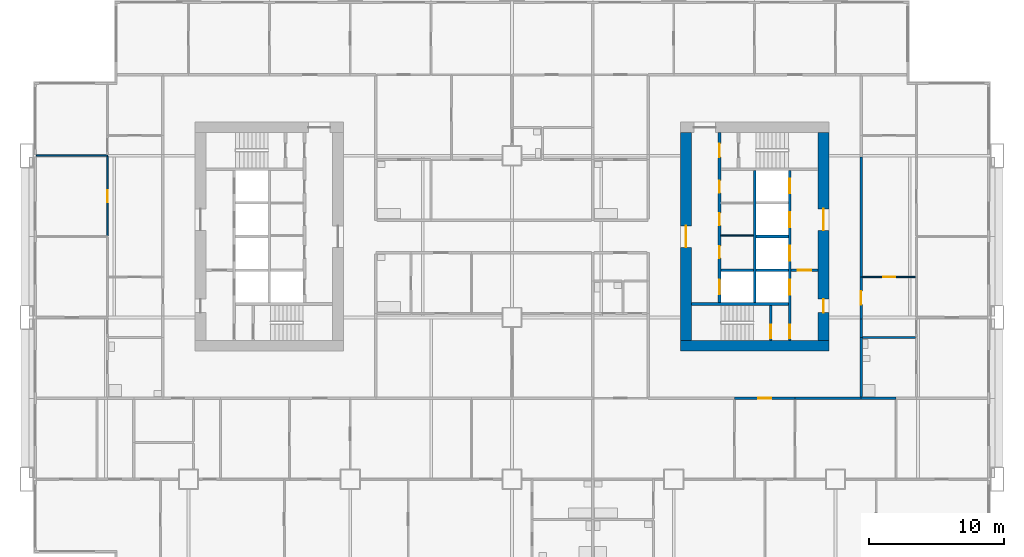
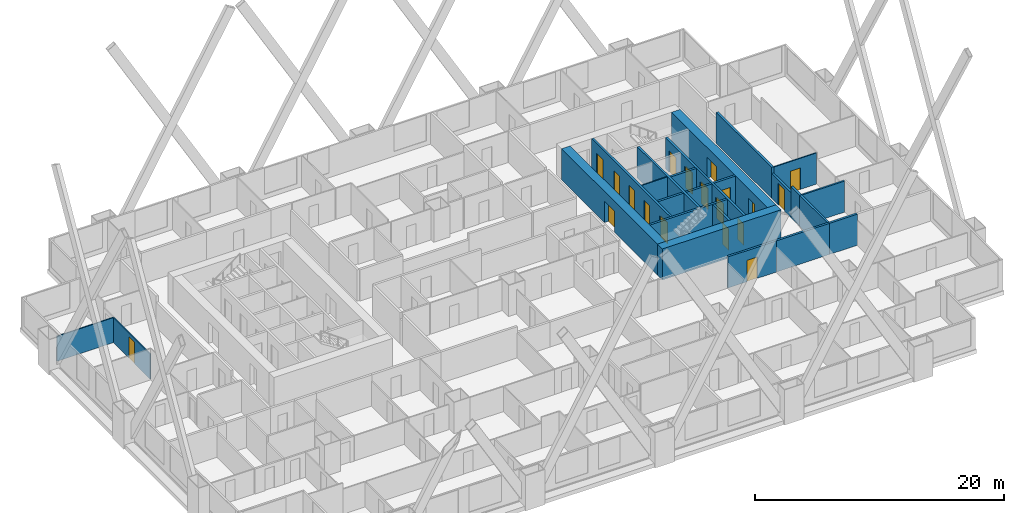
# One storey, part 7 of 13: 24 walls, 19 doors, 19 openings.
"""IFC4 building model written with IfcOpenShell, lengths in metres."""

from ifc_helpers import new_model, si_unit, direction, frame, frame_2d, origin, place, context, subcontext, project, spatial, rectangle, extrude, material, layer, layer_set, type_object, element, fill, save


model = new_model("IFC4")

# Units and contexts
model_context = context("Model", 3, precision=1e-05, world=origin(), true_north=direction((0.0, 1.0)))
body_context = subcontext(model_context, "Body", "Model", "MODEL_VIEW")
ifc_project = project(units=[si_unit("LENGTHUNIT", "METRE"), si_unit("AREAUNIT", "SQUARE_METRE"), si_unit("VOLUMEUNIT", "CUBIC_METRE"), si_unit("PLANEANGLEUNIT", "RADIAN"), si_unit("MASSUNIT", "GRAM", prefix="KILO")], contexts=[model_context])

# Site, building, storey
site_placement = place(None, origin())
site = spatial("IfcSite", under=ifc_project, at=site_placement, CompositionType="ELEMENT")
building_placement = place(site_placement, origin())
building = spatial("IfcBuilding", under=site, at=building_placement, Name="Kitamizu Gate Tower and Museum", CompositionType="ELEMENT")
storey_placement = place(building_placement, frame((0.0, 0.0, 50.699951171875)))
storey = spatial("IfcBuildingStorey", under=building, at=storey_placement, Name="L11", CompositionType="ELEMENT", Elevation=50.699951171875)

# Wall
ifc_material_1 = material(Name="Concrete Fc60", Category="concrete")
ifc_layer_1 = layer(ifc_material_1, 0.800048828125)
ifc_layer_set_1 = layer_set([ifc_layer_1], Name="Concrete Fc60")
wall_type_1 = type_object("IfcWallType", Name="Core wall 800", PredefinedType="SHEAR", material=ifc_layer_set_1)
wall_1_placement = place(storey_placement, frame((59.5, 21.89990234375, 0.0), z_axis=(0.0, 0.0, 1.0), x_axis=(-1.0, 0.0, 0.0)))
element("IfcWall", 1, at=wall_1_placement, inside=storey, type_object=wall_type_1, Name="Core wall ES", PredefinedType="SHEAR", context=body_context, shape_type="SweptSolid", body=[
    extrude(rectangle(XDim=11.0, YDim=0.800048828125, at=frame_2d((5.5, 0.0))), origin(), (0.0, 0.0, 1.0), 3.050048828125),
])

# Wall, openings, doors
wall_2_placement = place(storey_placement, frame((59.10009765625, 22.300048828125, 0.0), z_axis=(0.0, 0.0, 1.0), x_axis=(0.0, 1.0, 0.0)))
wall_2 = element("IfcWall", 2, at=wall_2_placement, inside=storey, type_object=wall_type_1, Name="Core wall EOUT", PredefinedType="SHEAR", context=body_context, shape_type="SweptSolid", body=[
    extrude(rectangle(XDim=15.39990234375, YDim=0.800048828125, at=frame_2d((7.699951171875, 0.0))), origin(), (0.0, 0.0, 1.0), 3.050048828125),
])
opening_1_placement = place(wall_2_placement, frame((8.14990234375, 0.0, 0.0)))
opening_1 = element("IfcOpeningElement", 3, at=opening_1_placement, cuts=wall_2, Name="Opening L11-093", PredefinedType="OPENING", context=body_context, shape_type="SweptSolid", body=[
    extrude(rectangle(XDim=1.60009765625, YDim=2.10009765625, at=frame_2d((0.800048828125, 1.050048828125))), frame((0.0, 0.41015625, 0.0), z_axis=(0.0, -1.0, 0.0), x_axis=(1.0, 0.0, 0.0)), (0.0, 0.0, 1.0), 0.820068359375),
])
opening_2_placement = place(wall_2_placement, frame((2.050048828125, 0.0, 0.0)))
opening_2 = element("IfcOpeningElement", 4, at=opening_2_placement, cuts=wall_2, Name="Opening L11-094", PredefinedType="OPENING", context=body_context, shape_type="SweptSolid", body=[
    extrude(rectangle(XDim=1.0, YDim=2.10009765625, at=frame_2d((0.5, 1.050048828125))), frame((0.0, 0.41015625, 0.0), z_axis=(0.0, -1.0, 0.0), x_axis=(1.0, 0.0, 0.0)), (0.0, 0.0, 1.0), 0.820068359375),
])
ifc_material_2 = material(Name="Timber door set", Category="wood")
door_type_1 = type_object("IfcDoorType", Name="Entrance door 1600", OperationType="DOUBLE_DOOR_SINGLE_SWING", PredefinedType="DOOR", material=ifc_material_2)
door_1_placement = place(opening_1_placement, origin())
door_1 = element("IfcDoor", 5, at=door_1_placement, inside=storey, type_object=door_type_1, Name="Lobby door L11-093", OperationType="DOUBLE_DOOR_SINGLE_SWING", OverallHeight=2.10009765625, OverallWidth=1.60009765625, PredefinedType="DOOR", context=body_context, shape_type="SweptSolid", body=[
    extrude(rectangle(XDim=1.60009765625, YDim=2.10009765625, at=frame_2d((0.800048828125, 1.050048828125))), frame((0.0, 0.02490234375, 0.0), z_axis=(0.0, -1.0, 0.0), x_axis=(1.0, 0.0, 0.0)), (0.0, 0.0, 1.0), 0.050048828125),
])
fill(opening_1, door_1)
ifc_material_3 = material(Name="Hollow metal door set")
door_type_2 = type_object("IfcDoorType", Name="Fire door 1000", OperationType="NOTDEFINED", PredefinedType="DOOR", material=ifc_material_3)
door_2_placement = place(opening_2_placement, origin())
door_2 = element("IfcDoor", 6, at=door_2_placement, inside=storey, type_object=door_type_2, Name="Fire-fighting lobby door L11-094", OperationType="SINGLE_SWING_RIGHT", OverallHeight=2.10009765625, OverallWidth=1.0, PredefinedType="DOOR", context=body_context, shape_type="SweptSolid", body=[
    extrude(rectangle(XDim=1.0, YDim=2.10009765625, at=frame_2d((0.5, 1.050048828125))), frame((0.0, 0.02490234375, 0.0), z_axis=(0.0, -1.0, 0.0), x_axis=(1.0, 0.0, 0.0)), (0.0, 0.0, 1.0), 0.050048828125),
])
fill(opening_2, door_2)

# Wall, opening, door
wall_3_placement = place(storey_placement, frame((48.89990234375, 22.300048828125, 0.0), z_axis=(0.0, 0.0, 1.0), x_axis=(0.0, 1.0, 0.0)))
wall_3 = element("IfcWall", 7, at=wall_3_placement, inside=storey, type_object=wall_type_1, Name="Core wall EARC", PredefinedType="SHEAR", context=body_context, shape_type="SweptSolid", body=[
    extrude(rectangle(XDim=15.39990234375, YDim=0.800048828125, at=frame_2d((7.699951171875, 0.0))), origin(), (0.0, 0.0, 1.0), 3.050048828125),
])
opening_3_placement = place(wall_3_placement, frame((6.89990234375, 0.0, 0.0)))
opening_3 = element("IfcOpeningElement", 8, at=opening_3_placement, cuts=wall_3, Name="Opening L11-096", PredefinedType="OPENING", context=body_context, shape_type="SweptSolid", body=[
    extrude(rectangle(XDim=1.60009765625, YDim=2.10009765625, at=frame_2d((0.800048828125, 1.050048828125))), frame((0.0, 0.41015625, 0.0), z_axis=(0.0, -1.0, 0.0), x_axis=(1.0, 0.0, 0.0)), (0.0, 0.0, 1.0), 0.820068359375),
])
door_3_placement = place(opening_3_placement, origin())
door_3 = element("IfcDoor", 9, at=door_3_placement, inside=storey, type_object=door_type_1, Name="Lobby door L11-096", OperationType="DOUBLE_DOOR_SINGLE_SWING", OverallHeight=2.10009765625, OverallWidth=1.60009765625, PredefinedType="DOOR", context=body_context, shape_type="SweptSolid", body=[
    extrude(rectangle(XDim=1.60009765625, YDim=2.10009765625, at=frame_2d((0.800048828125, 1.050048828125))), frame((0.0, 0.02490234375, 0.0), z_axis=(0.0, -1.0, 0.0), x_axis=(1.0, 0.0, 0.0)), (0.0, 0.0, 1.0), 0.050048828125),
])
fill(opening_3, door_3)

# Walls
ifc_material_4 = material(Name="Gypsum board on galvanised stud")
ifc_layer_2 = layer(ifc_material_4, 0.10009765625)
ifc_layer_set_2 = layer_set([ifc_layer_2], Name="Gypsum board on galvanised stud")
wall_type_2 = type_object("IfcWallType", Name="Partition 100", PredefinedType="PARTITIONING", material=ifc_layer_set_2)
wall_4_placement = place(storey_placement, frame((53.89990234375, 30.08203125, 0.0), z_axis=(0.0, 0.0, 1.0), x_axis=(-1.0, 0.0, 0.0)))
element("IfcWall", 10, at=wall_4_placement, inside=storey, type_object=wall_type_2, Name="Partition EPF1", PredefinedType="PARTITIONING", context=body_context, shape_type="SweptSolid", body=[
    extrude(rectangle(XDim=2.39990234375, YDim=0.10009765625, at=frame_2d((1.199951171875, 0.0))), origin(), (0.0, 0.0, 1.0), 3.050048828125),
])
ifc_material_5 = material(Name="Gypsum board on galvanised stud")
ifc_layer_3 = layer(ifc_material_5, 0.10009765625)
ifc_layer_set_3 = layer_set([ifc_layer_3], Name="Gypsum board on galvanised stud")
wall_type_3 = type_object("IfcWallType", Name="Partition 100 NOT RATED", PredefinedType="PARTITIONING", material=ifc_layer_set_3)
wall_5_placement = place(storey_placement, frame((6.0, 36.0, 0.0), z_axis=(0.0, 0.0, 1.0), x_axis=(-1.0, 0.0, 0.0)))
element("IfcWall", 11, at=wall_5_placement, inside=storey, type_object=wall_type_3, Name="Partition L11-162", PredefinedType="PARTITIONING", context=body_context, shape_type="SweptSolid", body=[
    extrude(rectangle(XDim=5.280029296875, YDim=0.10009765625, at=frame_2d((2.64013671875, 0.0))), origin(), (0.0, 0.0, 1.0), 2.449951171875),
])

# Wall, opening, door
wall_6_placement = place(storey_placement, frame((6.0, 30.050048828125, 0.0), z_axis=(0.0, 0.0, 1.0), x_axis=(0.0, 1.0, 0.0)))
wall_6 = element("IfcWall", 12, at=wall_6_placement, inside=storey, type_object=wall_type_3, Name="Partition L11-163", PredefinedType="PARTITIONING", context=body_context, shape_type="SweptSolid", body=[
    extrude(rectangle(XDim=5.89990234375, YDim=0.10009765625, at=frame_2d((2.949951171875, 0.0))), origin(), (0.0, 0.0, 1.0), 2.449951171875),
])
opening_4_placement = place(wall_6_placement, frame((2.5, 0.0, 0.0)))
opening_4 = element("IfcOpeningElement", 13, at=opening_4_placement, cuts=wall_6, Name="Opening L11-058", PredefinedType="OPENING", context=body_context, shape_type="SweptSolid", body=[
    extrude(rectangle(XDim=0.89990234375, YDim=2.10009765625, at=frame_2d((0.449951171875, 1.050048828125))), frame((0.0, 0.06005859375, 0.0), z_axis=(0.0, -1.0, 0.0), x_axis=(1.0, 0.0, 0.0)), (0.0, 0.0, 1.0), 0.1201171875),
])
ifc_material_6 = material(Name="Timber door set", Category="wood")
door_type_3 = type_object("IfcDoorType", Name="Room door 900", OperationType="NOTDEFINED", PredefinedType="DOOR", material=ifc_material_6)
door_4_placement = place(opening_4_placement, origin())
door_4 = element("IfcDoor", 14, at=door_4_placement, inside=storey, type_object=door_type_3, Name="Door L11-058", OperationType="SINGLE_SWING_LEFT", OverallHeight=2.10009765625, OverallWidth=0.89990234375, PredefinedType="DOOR", context=body_context, shape_type="SweptSolid", body=[
    extrude(rectangle(XDim=0.89990234375, YDim=2.10009765625, at=frame_2d((0.449951171875, 1.050048828125))), frame((0.0, 0.02490234375, 0.0), z_axis=(0.0, -1.0, 0.0), x_axis=(1.0, 0.0, 0.0)), (0.0, 0.0, 1.0), 0.050048828125),
])
fill(opening_4, door_4)

wall_7_placement = place(storey_placement, frame((65.949951171875, 27.0, 0.0), z_axis=(0.0, 0.0, 1.0), x_axis=(-1.0, 0.0, 0.0)))
wall_7 = element("IfcWall", 15, at=wall_7_placement, inside=storey, type_object=wall_type_3, Name="Partition L11-200", PredefinedType="PARTITIONING", context=body_context, shape_type="SweptSolid", body=[
    extrude(rectangle(XDim=3.949951171875, YDim=0.10009765625, at=frame_2d((1.97509765625, 0.0))), origin(), (0.0, 0.0, 1.0), 3.050048828125),
])
opening_5_placement = place(wall_7_placement, frame((1.52490234375, 0.0, 0.0)))
opening_5 = element("IfcOpeningElement", 16, at=opening_5_placement, cuts=wall_7, Name="Opening L11-071", PredefinedType="OPENING", context=body_context, shape_type="SweptSolid", body=[
    extrude(rectangle(XDim=0.89990234375, YDim=2.10009765625, at=frame_2d((0.449951171875, 1.050048828125))), frame((0.0, 0.06005859375, 0.0), z_axis=(0.0, -1.0, 0.0), x_axis=(1.0, 0.0, 0.0)), (0.0, 0.0, 1.0), 0.1201171875),
])
door_5_placement = place(opening_5_placement, origin())
door_5 = element("IfcDoor", 17, at=door_5_placement, inside=storey, type_object=door_type_3, Name="Door L11-071", OperationType="SINGLE_SWING_LEFT", OverallHeight=2.10009765625, OverallWidth=0.89990234375, PredefinedType="DOOR", context=body_context, shape_type="SweptSolid", body=[
    extrude(rectangle(XDim=0.89990234375, YDim=2.10009765625, at=frame_2d((0.449951171875, 1.050048828125))), frame((0.0, 0.02490234375, 0.0), z_axis=(0.0, -1.0, 0.0), x_axis=(1.0, 0.0, 0.0)), (0.0, 0.0, 1.0), 0.050048828125),
])
fill(opening_5, door_5)

# Wall
ifc_material_7 = material(Name="Gypsum board on galvanised stud")
ifc_layer_4 = layer(ifc_material_7, 0.14990234375)
ifc_layer_set_4 = layer_set([ifc_layer_4], Name="Gypsum board on galvanised stud")
wall_type_4 = type_object("IfcWallType", Name="Partition 150", PredefinedType="PARTITIONING", material=ifc_layer_set_4)
wall_8_placement = place(storey_placement, frame((65.925048828125, 22.5, 0.0), z_axis=(0.0, 0.0, 1.0), x_axis=(-1.0, 0.0, 0.0)))
element("IfcWall", 18, at=wall_8_placement, inside=storey, type_object=wall_type_4, Name="Partition L11-198", PredefinedType="PARTITIONING", context=body_context, shape_type="SweptSolid", body=[
    extrude(rectangle(XDim=3.925048828125, YDim=0.14990234375, at=frame_2d((1.96240234375, 0.0))), origin(), (0.0, 0.0, 1.0), 3.050048828125),
])

# Wall, opening, door
ifc_material_8 = material(Name="Gypsum board on galvanised stud")
ifc_layer_5 = layer(ifc_material_8, 0.199951171875)
ifc_layer_set_5 = layer_set([ifc_layer_5], Name="Gypsum board on galvanised stud")
wall_type_5 = type_object("IfcWallType", Name="Partition 200", PredefinedType="PARTITIONING", material=ifc_layer_set_5)
wall_9_placement = place(storey_placement, frame((57.0, 18.0, 0.0), z_axis=(0.0, 0.0, 1.0), x_axis=(-1.0, 0.0, 0.0)))
wall_9 = element("IfcWall", 19, at=wall_9_placement, inside=storey, type_object=wall_type_5, Name="Partition L11-104", PredefinedType="PARTITIONING", context=body_context, shape_type="SweptSolid", body=[
    extrude(rectangle(XDim=4.5, YDim=0.199951171875, at=frame_2d((2.25, 0.0))), origin(), (0.0, 0.0, 1.0), 3.050048828125),
])
opening_6_placement = place(wall_9_placement, frame((1.75, 0.0, 0.0)))
opening_6 = element("IfcOpeningElement", 20, at=opening_6_placement, cuts=wall_9, Name="Opening L11-026", PredefinedType="OPENING", context=body_context, shape_type="SweptSolid", body=[
    extrude(rectangle(XDim=1.0, YDim=2.10009765625, at=frame_2d((0.5, 1.050048828125))), frame((0.0, 0.10986328125, 0.0), z_axis=(0.0, -1.0, 0.0), x_axis=(1.0, 0.0, 0.0)), (0.0, 0.0, 1.0), 0.219970703125),
])
ifc_material_9 = material(Name="Timber door set", Category="wood")
door_type_4 = type_object("IfcDoorType", Name="Flat entrance door 1000", OperationType="NOTDEFINED", PredefinedType="DOOR", material=ifc_material_9)
door_6_placement = place(opening_6_placement, origin())
door_6 = element("IfcDoor", 21, at=door_6_placement, inside=storey, type_object=door_type_4, Name="Flat entrance door L11-026", OperationType="SINGLE_SWING_LEFT", OverallHeight=2.10009765625, OverallWidth=1.0, PredefinedType="DOOR", context=body_context, shape_type="SweptSolid", body=[
    extrude(rectangle(XDim=1.0, YDim=2.10009765625, at=frame_2d((0.5, 1.050048828125))), frame((0.0, 0.02490234375, 0.0), z_axis=(0.0, -1.0, 0.0), x_axis=(1.0, 0.0, 0.0)), (0.0, 0.0, 1.0), 0.050048828125),
])
fill(opening_6, door_6)

# Walls
wall_10_placement = place(storey_placement, frame((64.5, 18.0, 0.0), z_axis=(0.0, 0.0, 1.0), x_axis=(-1.0, 0.0, 0.0)))
element("IfcWall", 22, at=wall_10_placement, inside=storey, type_object=wall_type_5, Name="Partition L11-106", PredefinedType="PARTITIONING", context=body_context, shape_type="SweptSolid", body=[
    extrude(rectangle(XDim=2.60009765625, YDim=0.199951171875, at=frame_2d((1.300048828125, 0.0))), origin(), (0.0, 0.0, 1.0), 3.050048828125),
])
wall_11_placement = place(storey_placement, frame((61.89990234375, 18.0, 0.0), z_axis=(0.0, 0.0, 1.0), x_axis=(-1.0, 0.0, 0.0)))
element("IfcWall", 23, at=wall_11_placement, inside=storey, type_object=wall_type_5, Name="Partition L11-107", PredefinedType="PARTITIONING", context=body_context, shape_type="SweptSolid", body=[
    extrude(rectangle(XDim=4.89990234375, YDim=0.199951171875, at=frame_2d((2.449951171875, 0.0))), origin(), (0.0, 0.0, 1.0), 3.050048828125),
])
wall_12_placement = place(storey_placement, frame((61.89990234375, 22.5, 0.0), z_axis=(0.0, 0.0, 1.0), x_axis=(0.0, -1.0, 0.0)))
element("IfcWall", 24, at=wall_12_placement, inside=storey, type_object=wall_type_5, Name="Partition L11-199", PredefinedType="PARTITIONING", context=body_context, shape_type="SweptSolid", body=[
    extrude(rectangle(XDim=4.39990234375, YDim=0.199951171875, at=frame_2d((2.199951171875, 0.0))), origin(), (0.0, 0.0, 1.0), 3.050048828125),
])

# Wall, opening, door
wall_13_placement = place(storey_placement, frame((61.89990234375, 27.0, 0.0), z_axis=(0.0, 0.0, 1.0), x_axis=(0.0, -1.0, 0.0)))
wall_13 = element("IfcWall", 25, at=wall_13_placement, inside=storey, type_object=wall_type_5, Name="Partition L11-201", PredefinedType="PARTITIONING", context=body_context, shape_type="SweptSolid", body=[
    extrude(rectangle(XDim=3.10009765625, YDim=0.199951171875, at=frame_2d((1.550048828125, 0.0))), origin(), (0.0, 0.0, 1.0), 2.449951171875),
])
opening_7_placement = place(wall_13_placement, frame((1.050048828125, 0.0, 0.0)))
opening_7 = element("IfcOpeningElement", 26, at=opening_7_placement, cuts=wall_13, Name="Opening L11-069", PredefinedType="OPENING", context=body_context, shape_type="SweptSolid", body=[
    extrude(rectangle(XDim=1.0, YDim=2.10009765625, at=frame_2d((0.5, 1.050048828125))), frame((0.0, 0.10986328125, 0.0), z_axis=(0.0, -1.0, 0.0), x_axis=(1.0, 0.0, 0.0)), (0.0, 0.0, 1.0), 0.219970703125),
])
door_7_placement = place(opening_7_placement, origin())
door_7 = element("IfcDoor", 27, at=door_7_placement, inside=storey, type_object=door_type_4, Name="Flat entrance door L11-069", OperationType="SINGLE_SWING_RIGHT", OverallHeight=2.10009765625, OverallWidth=1.0, PredefinedType="DOOR", context=body_context, shape_type="SweptSolid", body=[
    extrude(rectangle(XDim=1.0, YDim=2.10009765625, at=frame_2d((0.5, 1.050048828125))), frame((0.0, 0.02490234375, 0.0), z_axis=(0.0, -1.0, 0.0), x_axis=(1.0, 0.0, 0.0)), (0.0, 0.0, 1.0), 0.050048828125),
])
fill(opening_7, door_7)

# Walls
wall_14_placement = place(storey_placement, frame((61.89990234375, 23.89990234375, 0.0), z_axis=(0.0, 0.0, 1.0), x_axis=(0.0, -1.0, 0.0)))
element("IfcWall", 28, at=wall_14_placement, inside=storey, type_object=wall_type_5, Name="Partition L11-202", PredefinedType="PARTITIONING", context=body_context, shape_type="SweptSolid", body=[
    extrude(rectangle(XDim=1.39990234375, YDim=0.199951171875, at=frame_2d((0.699951171875, 0.0))), origin(), (0.0, 0.0, 1.0), 3.050048828125),
])
wall_15_placement = place(storey_placement, frame((61.89990234375, 35.89990234375, 0.0), z_axis=(0.0, 0.0, 1.0), x_axis=(0.0, -1.0, 0.0)))
element("IfcWall", 29, at=wall_15_placement, inside=storey, type_object=wall_type_5, Name="Partition L11-205", PredefinedType="PARTITIONING", context=body_context, shape_type="SweptSolid", body=[
    extrude(rectangle(XDim=8.89990234375, YDim=0.199951171875, at=frame_2d((4.449951171875, 0.0))), origin(), (0.0, 0.0, 1.0), 3.050048828125),
])

# Wall, openings, doors
ifc_material_10 = material(Name="Concrete Fc42", Category="concrete")
ifc_layer_6 = layer(ifc_material_10, 0.199951171875)
ifc_layer_set_6 = layer_set([ifc_layer_6], Name="Concrete Fc42")
wall_type_6 = type_object("IfcWallType", Name="Shaft wall 200", PredefinedType="SOLIDWALL", material=ifc_layer_set_6)
wall_16_placement = place(storey_placement, frame((56.60009765625, 22.300048828125, 0.0), z_axis=(0.0, 0.0, 1.0), x_axis=(0.0, 1.0, 0.0)))
wall_16 = element("IfcWall", 30, at=wall_16_placement, inside=storey, type_object=wall_type_6, Name="Shaft wall EWEST", PredefinedType="SOLIDWALL", context=body_context, shape_type="SweptSolid", body=[
    extrude(rectangle(XDim=12.599853515625, YDim=0.199951171875, at=frame_2d((6.2998046875, 0.0))), origin(), (0.0, 0.0, 1.0), 3.050048828125),
])
opening_8_placement = place(wall_16_placement, frame((3.39990234375, 0.0, 0.0)))
opening_8 = element("IfcOpeningElement", 31, at=opening_8_placement, cuts=wall_16, Name="Opening LD", PredefinedType="OPENING", context=body_context, shape_type="SweptSolid", body=[
    extrude(rectangle(XDim=1.10009765625, YDim=2.10009765625, at=frame_2d((0.550048828125, 1.050048828125))), frame((0.0, 0.10986328125, 0.0), z_axis=(0.0, -1.0, 0.0), x_axis=(1.0, 0.0, 0.0)), (0.0, 0.0, 1.0), 0.219970703125),
])
opening_9_placement = place(wall_16_placement, frame((5.89990234375, 0.0, 0.0)))
opening_9 = element("IfcOpeningElement", 32, at=opening_9_placement, cuts=wall_16, Name="Opening LD", PredefinedType="OPENING", context=body_context, shape_type="SweptSolid", body=[
    extrude(rectangle(XDim=1.10009765625, YDim=2.10009765625, at=frame_2d((0.550048828125, 1.050048828125))), frame((0.0, 0.10986328125, 0.0), z_axis=(0.0, -1.0, 0.0), x_axis=(1.0, 0.0, 0.0)), (0.0, 0.0, 1.0), 0.219970703125),
])
opening_10_placement = place(wall_16_placement, frame((8.39990234375, 0.0, 0.0)))
opening_10 = element("IfcOpeningElement", 33, at=opening_10_placement, cuts=wall_16, Name="Opening LD", PredefinedType="OPENING", context=body_context, shape_type="SweptSolid", body=[
    extrude(rectangle(XDim=1.10009765625, YDim=2.10009765625, at=frame_2d((0.550048828125, 1.050048828125))), frame((0.0, 0.10986328125, 0.0), z_axis=(0.0, -1.0, 0.0), x_axis=(1.0, 0.0, 0.0)), (0.0, 0.0, 1.0), 0.219970703125),
])
opening_11_placement = place(wall_16_placement, frame((10.89990234375, 0.0, 0.0)))
opening_11 = element("IfcOpeningElement", 34, at=opening_11_placement, cuts=wall_16, Name="Opening LD", PredefinedType="OPENING", context=body_context, shape_type="SweptSolid", body=[
    extrude(rectangle(XDim=1.10009765625, YDim=2.10009765625, at=frame_2d((0.550048828125, 1.050048828125))), frame((0.0, 0.10986328125, 0.0), z_axis=(0.0, -1.0, 0.0), x_axis=(1.0, 0.0, 0.0)), (0.0, 0.0, 1.0), 0.219970703125),
])
opening_12_placement = place(wall_16_placement, frame((0.14990234375, 0.0, 0.0)))
opening_12 = element("IfcOpeningElement", 35, at=opening_12_placement, cuts=wall_16, Name="Opening L11-089", PredefinedType="OPENING", context=body_context, shape_type="SweptSolid", body=[
    extrude(rectangle(XDim=1.0, YDim=2.10009765625, at=frame_2d((0.5, 1.050048828125))), frame((0.0, 0.10986328125, 0.0), z_axis=(0.0, -1.0, 0.0), x_axis=(1.0, 0.0, 0.0)), (0.0, 0.0, 1.0), 0.219970703125),
])
door_8_placement = place(opening_12_placement, origin())
door_8 = element("IfcDoor", 36, at=door_8_placement, inside=storey, type_object=door_type_2, Name="Stair lobby door L11-089", OperationType="SINGLE_SWING_RIGHT", OverallHeight=2.10009765625, OverallWidth=1.0, PredefinedType="DOOR", context=body_context, shape_type="SweptSolid", body=[
    extrude(rectangle(XDim=1.0, YDim=2.10009765625, at=frame_2d((0.5, 1.050048828125))), frame((0.0, 0.02490234375, 0.0), z_axis=(0.0, -1.0, 0.0), x_axis=(1.0, 0.0, 0.0)), (0.0, 0.0, 1.0), 0.050048828125),
])
fill(opening_12, door_8)
ifc_material_11 = material(Name="Hollow metal door set")
door_type_5 = type_object("IfcDoorType", Name="Landing door 1100", OperationType="SLIDING_TO_LEFT", PredefinedType="DOOR", material=ifc_material_11)
door_9_placement = place(opening_8_placement, origin())
door_9 = element("IfcDoor", 37, at=door_9_placement, inside=storey, type_object=door_type_5, Name="Landing door EFF1", OperationType="SLIDING_TO_LEFT", OverallHeight=2.10009765625, OverallWidth=1.10009765625, PredefinedType="DOOR", context=body_context, shape_type="SweptSolid", body=[
    extrude(rectangle(XDim=1.10009765625, YDim=2.10009765625, at=frame_2d((0.550048828125, 1.050048828125))), frame((0.0, 0.02490234375, 0.0), z_axis=(0.0, -1.0, 0.0), x_axis=(1.0, 0.0, 0.0)), (0.0, 0.0, 1.0), 0.050048828125),
])
fill(opening_8, door_9)
door_10_placement = place(opening_9_placement, origin())
door_10 = element("IfcDoor", 38, at=door_10_placement, inside=storey, type_object=door_type_5, Name="Landing door EL1", OperationType="SLIDING_TO_LEFT", OverallHeight=2.10009765625, OverallWidth=1.10009765625, PredefinedType="DOOR", context=body_context, shape_type="SweptSolid", body=[
    extrude(rectangle(XDim=1.10009765625, YDim=2.10009765625, at=frame_2d((0.550048828125, 1.050048828125))), frame((0.0, 0.02490234375, 0.0), z_axis=(0.0, -1.0, 0.0), x_axis=(1.0, 0.0, 0.0)), (0.0, 0.0, 1.0), 0.050048828125),
])
fill(opening_9, door_10)
door_11_placement = place(opening_10_placement, origin())
door_11 = element("IfcDoor", 39, at=door_11_placement, inside=storey, type_object=door_type_5, Name="Landing door EL2", OperationType="SLIDING_TO_LEFT", OverallHeight=2.10009765625, OverallWidth=1.10009765625, PredefinedType="DOOR", context=body_context, shape_type="SweptSolid", body=[
    extrude(rectangle(XDim=1.10009765625, YDim=2.10009765625, at=frame_2d((0.550048828125, 1.050048828125))), frame((0.0, 0.02490234375, 0.0), z_axis=(0.0, -1.0, 0.0), x_axis=(1.0, 0.0, 0.0)), (0.0, 0.0, 1.0), 0.050048828125),
])
fill(opening_10, door_11)
door_12_placement = place(opening_11_placement, origin())
door_12 = element("IfcDoor", 40, at=door_12_placement, inside=storey, type_object=door_type_5, Name="Landing door EL3", OperationType="SLIDING_TO_LEFT", OverallHeight=2.10009765625, OverallWidth=1.10009765625, PredefinedType="DOOR", context=body_context, shape_type="SweptSolid", body=[
    extrude(rectangle(XDim=1.10009765625, YDim=2.10009765625, at=frame_2d((0.550048828125, 1.050048828125))), frame((0.0, 0.02490234375, 0.0), z_axis=(0.0, -1.0, 0.0), x_axis=(1.0, 0.0, 0.0)), (0.0, 0.0, 1.0), 0.050048828125),
])
fill(opening_11, door_12)

wall_17_placement = place(storey_placement, frame((51.39990234375, 25.10009765625, 0.0), z_axis=(0.0, 0.0, 1.0), x_axis=(0.0, 1.0, 0.0)))
wall_17 = element("IfcWall", 41, at=wall_17_placement, inside=storey, type_object=wall_type_6, Name="Shaft wall EEAST", PredefinedType="SOLIDWALL", context=body_context, shape_type="SweptSolid", body=[
    extrude(rectangle(XDim=12.599853515625, YDim=0.199951171875, at=frame_2d((6.2998046875, 0.0))), origin(), (0.0, 0.0, 1.0), 3.050048828125),
])
opening_13_placement = place(wall_17_placement, frame((0.60009765625, 0.0, 0.0)))
opening_13 = element("IfcOpeningElement", 42, at=opening_13_placement, cuts=wall_17, Name="Opening LD", PredefinedType="OPENING", context=body_context, shape_type="SweptSolid", body=[
    extrude(rectangle(XDim=1.10009765625, YDim=2.10009765625, at=frame_2d((0.550048828125, 1.050048828125))), frame((0.0, 0.10986328125, 0.0), z_axis=(0.0, -1.0, 0.0), x_axis=(1.0, 0.0, 0.0)), (0.0, 0.0, 1.0), 0.219970703125),
])
opening_14_placement = place(wall_17_placement, frame((10.800048828125, 0.0, 0.0)))
opening_14 = element("IfcOpeningElement", 43, at=opening_14_placement, cuts=wall_17, Name="Opening L11-090", PredefinedType="OPENING", context=body_context, shape_type="SweptSolid", body=[
    extrude(rectangle(XDim=1.0, YDim=2.10009765625, at=frame_2d((0.5, 1.050048828125))), frame((0.0, 0.10986328125, 0.0), z_axis=(0.0, -1.0, 0.0), x_axis=(1.0, 0.0, 0.0)), (0.0, 0.0, 1.0), 0.219970703125),
])
opening_15_placement = place(wall_17_placement, frame((3.291015625, 0.0, 0.0)))
opening_15 = element("IfcOpeningElement", 44, at=opening_15_placement, cuts=wall_17, Name="Opening L11-097", PredefinedType="OPENING", context=body_context, shape_type="SweptSolid", body=[
    extrude(rectangle(XDim=0.89990234375, YDim=2.10009765625, at=frame_2d((0.449951171875, 1.050048828125))), frame((0.0, 0.10986328125, 0.0), z_axis=(0.0, -1.0, 0.0), x_axis=(1.0, 0.0, 0.0)), (0.0, 0.0, 1.0), 0.219970703125),
])
opening_16_placement = place(wall_17_placement, frame((5.736572265625, 0.0, 0.0)))
opening_16 = element("IfcOpeningElement", 45, at=opening_16_placement, cuts=wall_17, Name="Opening L11-098", PredefinedType="OPENING", context=body_context, shape_type="SweptSolid", body=[
    extrude(rectangle(XDim=0.89990234375, YDim=2.10009765625, at=frame_2d((0.449951171875, 1.050048828125))), frame((0.0, 0.10986328125, 0.0), z_axis=(0.0, -1.0, 0.0), x_axis=(1.0, 0.0, 0.0)), (0.0, 0.0, 1.0), 0.219970703125),
])
opening_17_placement = place(wall_17_placement, frame((8.1455078125, 0.0, 0.0)))
opening_17 = element("IfcOpeningElement", 46, at=opening_17_placement, cuts=wall_17, Name="Opening L11-099", PredefinedType="OPENING", context=body_context, shape_type="SweptSolid", body=[
    extrude(rectangle(XDim=0.89990234375, YDim=2.10009765625, at=frame_2d((0.449951171875, 1.050048828125))), frame((0.0, 0.10986328125, 0.0), z_axis=(0.0, -1.0, 0.0), x_axis=(1.0, 0.0, 0.0)), (0.0, 0.0, 1.0), 0.219970703125),
])
door_13_placement = place(opening_14_placement, frame((1.0, 0.0, 0.0), x_axis=(-1.0, 0.0, 0.0)))
door_13 = element("IfcDoor", 47, at=door_13_placement, inside=storey, type_object=door_type_2, Name="Stair lobby door L11-090", OperationType="SINGLE_SWING_RIGHT", OverallHeight=2.10009765625, OverallWidth=1.0, PredefinedType="DOOR", context=body_context, shape_type="SweptSolid", body=[
    extrude(rectangle(XDim=1.0, YDim=2.10009765625, at=frame_2d((0.5, 1.050048828125))), frame((0.0, 0.02490234375, 0.0), z_axis=(0.0, -1.0, 0.0), x_axis=(1.0, 0.0, 0.0)), (0.0, 0.0, 1.0), 0.050048828125),
])
fill(opening_14, door_13)
door_14_placement = place(opening_13_placement, origin())
door_14 = element("IfcDoor", 48, at=door_14_placement, inside=storey, type_object=door_type_5, Name="Landing door ESV1", OperationType="SLIDING_TO_LEFT", OverallHeight=2.10009765625, OverallWidth=1.10009765625, PredefinedType="DOOR", context=body_context, shape_type="SweptSolid", body=[
    extrude(rectangle(XDim=1.10009765625, YDim=2.10009765625, at=frame_2d((0.550048828125, 1.050048828125))), frame((0.0, 0.02490234375, 0.0), z_axis=(0.0, -1.0, 0.0), x_axis=(1.0, 0.0, 0.0)), (0.0, 0.0, 1.0), 0.050048828125),
])
fill(opening_13, door_14)
ifc_material_12 = material(Name="Timber door set", Category="wood")
door_type_6 = type_object("IfcDoorType", Name="Service door 900", OperationType="NOTDEFINED", PredefinedType="DOOR", material=ifc_material_12)
door_15_placement = place(opening_15_placement, frame((0.89990234375, 0.0, 0.0), x_axis=(-1.0, 0.0, 0.0)))
door_15 = element("IfcDoor", 49, at=door_15_placement, inside=storey, type_object=door_type_6, Name="Service door L11-097", OperationType="SINGLE_SWING_RIGHT", OverallHeight=2.10009765625, OverallWidth=0.89990234375, PredefinedType="DOOR", context=body_context, shape_type="SweptSolid", body=[
    extrude(rectangle(XDim=0.89990234375, YDim=2.10009765625, at=frame_2d((0.449951171875, 1.050048828125))), frame((0.0, 0.02490234375, 0.0), z_axis=(0.0, -1.0, 0.0), x_axis=(1.0, 0.0, 0.0)), (0.0, 0.0, 1.0), 0.050048828125),
])
fill(opening_15, door_15)
door_16_placement = place(opening_16_placement, frame((0.89990234375, 0.0, 0.0), x_axis=(-1.0, 0.0, 0.0)))
door_16 = element("IfcDoor", 50, at=door_16_placement, inside=storey, type_object=door_type_6, Name="Service door L11-098", OperationType="SINGLE_SWING_LEFT", OverallHeight=2.10009765625, OverallWidth=0.89990234375, PredefinedType="DOOR", context=body_context, shape_type="SweptSolid", body=[
    extrude(rectangle(XDim=0.89990234375, YDim=2.10009765625, at=frame_2d((0.449951171875, 1.050048828125))), frame((0.0, 0.02490234375, 0.0), z_axis=(0.0, -1.0, 0.0), x_axis=(1.0, 0.0, 0.0)), (0.0, 0.0, 1.0), 0.050048828125),
])
fill(opening_16, door_16)
door_17_placement = place(opening_17_placement, frame((0.89990234375, 0.0, 0.0), x_axis=(-1.0, 0.0, 0.0)))
door_17 = element("IfcDoor", 51, at=door_17_placement, inside=storey, type_object=door_type_6, Name="Service door L11-099", OperationType="SINGLE_SWING_RIGHT", OverallHeight=2.10009765625, OverallWidth=0.89990234375, PredefinedType="DOOR", context=body_context, shape_type="SweptSolid", body=[
    extrude(rectangle(XDim=0.89990234375, YDim=2.10009765625, at=frame_2d((0.449951171875, 1.050048828125))), frame((0.0, 0.02490234375, 0.0), z_axis=(0.0, -1.0, 0.0), x_axis=(1.0, 0.0, 0.0)), (0.0, 0.0, 1.0), 0.050048828125),
])
fill(opening_17, door_17)

# Walls
wall_18_placement = place(storey_placement, frame((54.0, 25.10009765625, 0.0), z_axis=(0.0, 0.0, 1.0), x_axis=(0.0, 1.0, 0.0)))
element("IfcWall", 52, at=wall_18_placement, inside=storey, type_object=wall_type_6, Name="Shaft wall EMID", PredefinedType="SOLIDWALL", context=body_context, shape_type="SweptSolid", body=[
    extrude(rectangle(XDim=9.7998046875, YDim=0.199951171875, at=frame_2d((4.89990234375, 0.0))), origin(), (0.0, 0.0, 1.0), 3.050048828125),
])
wall_19_placement = place(storey_placement, frame((56.5, 25.0, 0.0), z_axis=(0.0, 0.0, 1.0), x_axis=(-1.0, 0.0, 0.0)))
element("IfcWall", 53, at=wall_19_placement, inside=storey, type_object=wall_type_6, Name="Shaft wall ESB", PredefinedType="SOLIDWALL", context=body_context, shape_type="SweptSolid", body=[
    extrude(rectangle(XDim=7.199951171875, YDim=0.199951171875, at=frame_2d((3.60009765625, 0.0))), origin(), (0.0, 0.0, 1.0), 3.050048828125),
])

# Wall, opening, door
wall_20_placement = place(storey_placement, frame((58.699951171875, 27.5, 0.0), z_axis=(0.0, 0.0, 1.0), x_axis=(-1.0, 0.0, 0.0)))
wall_20 = element("IfcWall", 54, at=wall_20_placement, inside=storey, type_object=wall_type_6, Name="Shaft wall EFFN", PredefinedType="SOLIDWALL", context=body_context, shape_type="SweptSolid", body=[
    extrude(rectangle(XDim=2.0, YDim=0.199951171875, at=frame_2d((1.0, 0.0))), origin(), (0.0, 0.0, 1.0), 3.050048828125),
])
opening_18_placement = place(wall_20_placement, frame((0.5, 0.0, 0.0)))
opening_18 = element("IfcOpeningElement", 55, at=opening_18_placement, cuts=wall_20, Name="Opening L11-092", PredefinedType="OPENING", context=body_context, shape_type="SweptSolid", body=[
    extrude(rectangle(XDim=1.0, YDim=2.10009765625, at=frame_2d((0.5, 1.050048828125))), frame((0.0, 0.10986328125, 0.0), z_axis=(0.0, -1.0, 0.0), x_axis=(1.0, 0.0, 0.0)), (0.0, 0.0, 1.0), 0.219970703125),
])
door_18_placement = place(opening_18_placement, origin())
door_18 = element("IfcDoor", 56, at=door_18_placement, inside=storey, type_object=door_type_2, Name="Fire-fighting lobby door L11-092", OperationType="SINGLE_SWING_LEFT", OverallHeight=2.10009765625, OverallWidth=1.0, PredefinedType="DOOR", context=body_context, shape_type="SweptSolid", body=[
    extrude(rectangle(XDim=1.0, YDim=2.10009765625, at=frame_2d((0.5, 1.050048828125))), frame((0.0, 0.02490234375, 0.0), z_axis=(0.0, -1.0, 0.0), x_axis=(1.0, 0.0, 0.0)), (0.0, 0.0, 1.0), 0.050048828125),
])
fill(opening_18, door_18)

wall_21_placement = place(storey_placement, frame((55.199951171875, 22.300048828125, 0.0), z_axis=(0.0, 0.0, 1.0), x_axis=(0.0, 1.0, 0.0)))
wall_21 = element("IfcWall", 57, at=wall_21_placement, inside=storey, type_object=wall_type_6, Name="Shaft wall ESZ", PredefinedType="SOLIDWALL", context=body_context, shape_type="SweptSolid", body=[
    extrude(rectangle(XDim=2.599853515625, YDim=0.199951171875, at=frame_2d((1.2998046875, 0.0))), origin(), (0.0, 0.0, 1.0), 3.050048828125),
])
opening_19_placement = place(wall_21_placement, frame((0.14990234375, 0.0, 0.0)))
opening_19 = element("IfcOpeningElement", 58, at=opening_19_placement, cuts=wall_21, Name="Opening L11-088", PredefinedType="OPENING", context=body_context, shape_type="SweptSolid", body=[
    extrude(rectangle(XDim=1.0, YDim=2.10009765625, at=frame_2d((0.5, 1.050048828125))), frame((0.0, 0.10986328125, 0.0), z_axis=(0.0, -1.0, 0.0), x_axis=(1.0, 0.0, 0.0)), (0.0, 0.0, 1.0), 0.219970703125),
])
door_19_placement = place(opening_19_placement, origin())
door_19 = element("IfcDoor", 59, at=door_19_placement, inside=storey, type_object=door_type_2, Name="Stair door L11-088", OperationType="SINGLE_SWING_RIGHT", OverallHeight=2.10009765625, OverallWidth=1.0, PredefinedType="DOOR", context=body_context, shape_type="SweptSolid", body=[
    extrude(rectangle(XDim=1.0, YDim=2.10009765625, at=frame_2d((0.5, 1.050048828125))), frame((0.0, 0.02490234375, 0.0), z_axis=(0.0, -1.0, 0.0), x_axis=(1.0, 0.0, 0.0)), (0.0, 0.0, 1.0), 0.050048828125),
])
fill(opening_19, door_19)

# Walls
for number, where, z_axis, x_axis, name in (
    (60, (56.5, 27.5, 0.0), (0.0, 0.0, 1.0), (-1.0, 0.0, 0.0), "Shaft wall EDVW0"),
    (61, (56.5, 30.0, 0.0), (0.0, 0.0, 1.0), (-1.0, 0.0, 0.0), "Shaft wall EDVW1"),
    (62, (53.89990234375, 27.5, 0.0), (0.0, 0.0, 1.0), (-1.0, 0.0, 0.0), "Shaft wall EDVE0"),
):
    element("IfcWall", number, at=place(storey_placement, frame(where, z_axis=z_axis, x_axis=x_axis)), inside=storey, type_object=wall_type_6, Name=name, PredefinedType="SOLIDWALL", context=body_context, shape_type="SweptSolid", body=[
        extrude(rectangle(XDim=2.39990234375, YDim=0.199951171875, at=frame_2d((1.199951171875, 0.0))), origin(), (0.0, 0.0, 1.0), 3.050048828125),
    ])

save(model, "model.ifc")
